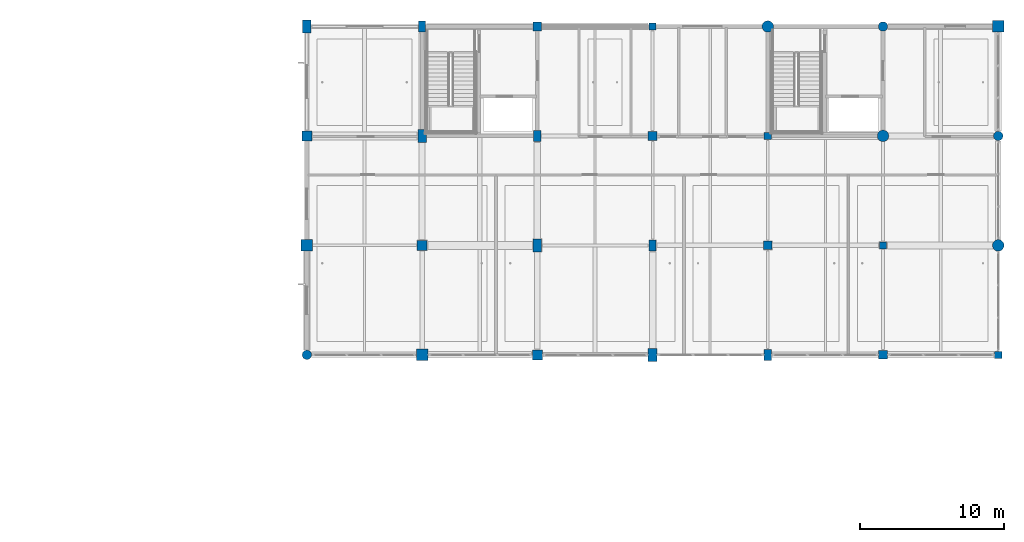
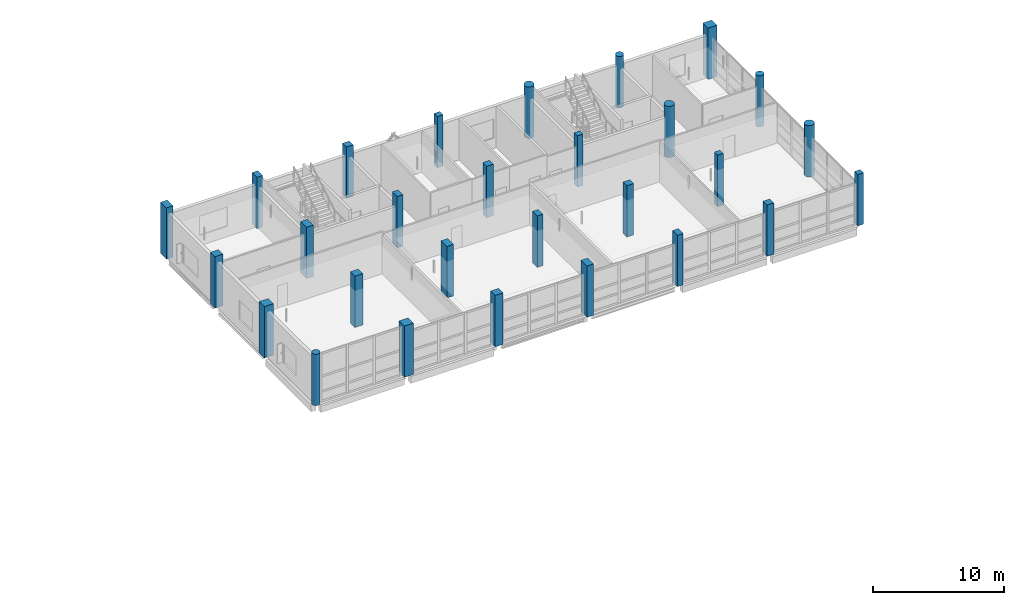
# One storey, part 4 of 46: 28 columns.
"""IFC4 building model written with IfcOpenShell, lengths in metres."""

from ifc_helpers import new_model, si_unit, direction, frame, origin, origin_2d, place, context, subcontext, project, spatial, rectangle, circle, extrude, material, material_profile, profile_set, type_object, element, save


model = new_model("IFC4")

# Units and contexts
model_context = context("Model", 3, precision=1e-05, world=origin(), true_north=direction((0.0, 1.0)))
body_context = subcontext(model_context, "Body", "Model", "MODEL_VIEW")
ifc_project = project(units=[si_unit("LENGTHUNIT", "METRE"), si_unit("AREAUNIT", "SQUARE_METRE"), si_unit("VOLUMEUNIT", "CUBIC_METRE"), si_unit("PLANEANGLEUNIT", "RADIAN"), si_unit("MASSUNIT", "GRAM", prefix="KILO")], contexts=[model_context])

# Site, building, storey
site_placement = place(None, origin())
site = spatial("IfcSite", under=ifc_project, at=site_placement, CompositionType="ELEMENT")
building_placement = place(site_placement, origin())
building = spatial("IfcBuilding", under=site, at=building_placement, Name="Khelvaren Railside Concert Hall", CompositionType="ELEMENT")
storey_placement = place(building_placement, frame((0.0, 0.0, 19.800048828125)))
storey = spatial("IfcBuildingStorey", under=building, at=storey_placement, Name="L04", CompositionType="ELEMENT", Elevation=19.800048828125)

# Columns
ifc_material = material(Name="Concrete C45/55", Category="concrete")
ifc_material_profile_1 = material_profile(ifc_material, rectangle(XDim=0.60009765625, YDim=0.60009765625, at=origin_2d()), Name="RC 600x600")
ifc_profile_set_1 = profile_set([ifc_material_profile_1], Name="Concrete C45/55")
column_type_1 = type_object("IfcColumnType", Name="COL11", PredefinedType="COLUMN", material=ifc_profile_set_1)
for number, where, z_axis, x_axis, name in (
    (1, (152.0, 114.0, 0.0), (0.0, 0.0, 1.0), (1.0, 0.0, 0.0), "V5 L04 Column (152.0,114.0)"),
    (2, (176.0, 91.199951171875, 0.0), (0.0, 0.0, 1.0), (1.0, 0.0, 0.0), "V5 L04 Column (176.0,91.2)"),
):
    element("IfcColumn", number, at=place(storey_placement, frame(where, z_axis=z_axis, x_axis=x_axis)), inside=storey, type_object=column_type_1, Name=name, PredefinedType="COLUMN", context=body_context, shape_type="SweptSolid", body=[
        extrude(rectangle(XDim=0.60009765625, YDim=0.60009765625, at=origin_2d()), origin(), (0.0, 0.0, 1.0), 4.800048828125),
    ])
ifc_material_profile_2 = material_profile(ifc_material, circle(Radius=0.39990234375, at=origin_2d()), Name="RC D800")
ifc_profile_set_2 = profile_set([ifc_material_profile_2], Name="Concrete C45/55")
column_type_2 = type_object("IfcColumnType", Name="COL14", PredefinedType="COLUMN", material=ifc_profile_set_2)
column_1_placement = place(storey_placement, frame((176.0, 106.39990234375, 0.0), z_axis=(0.0, 0.0, 1.0), x_axis=(1.0, 0.0, 0.0)))
element("IfcColumn", 3, at=column_1_placement, inside=storey, type_object=column_type_2, Name="V5 L04 Column (176.0,106.4)", PredefinedType="COLUMN", context=body_context, shape_type="SweptSolid", body=[
    extrude(circle(Radius=0.39990234375, at=origin_2d()), origin(), (0.0, 0.0, 1.0), 4.800048828125),
])
ifc_material_profile_3 = material_profile(ifc_material, rectangle(XDim=0.699951171875, YDim=0.699951171875, at=origin_2d()), Name="RC 700x700")
ifc_profile_set_3 = profile_set([ifc_material_profile_3], Name="Concrete C45/55")
column_type_3 = type_object("IfcColumnType", Name="COL16", PredefinedType="COLUMN", material=ifc_profile_set_3)
for number, where, z_axis, x_axis, name in (
    (4, (136.0, 106.39990234375, 0.0), (0.0, 0.0, 1.0), (1.0, 0.0, 0.0), "V5 L04 Column (136.0,106.4)"),
    (5, (152.0, 91.199951171875, 0.0), (0.0, 0.0, 1.0), (1.0, 0.0, 0.0), "V5 L04 Column (152.0,91.2)"),
):
    element("IfcColumn", number, at=place(storey_placement, frame(where, z_axis=z_axis, x_axis=x_axis)), inside=storey, type_object=column_type_3, Name=name, PredefinedType="COLUMN", context=body_context, shape_type="SweptSolid", body=[
        extrude(rectangle(XDim=0.699951171875, YDim=0.699951171875, at=origin_2d()), origin(), (0.0, 0.0, 1.0), 4.800048828125),
    ])
ifc_material_profile_4 = material_profile(ifc_material, circle(Radius=0.39990234375, at=origin_2d()), Name="RC D800")
ifc_profile_set_4 = profile_set([ifc_material_profile_4], Name="Concrete C45/55")
column_type_4 = type_object("IfcColumnType", Name="COL22", PredefinedType="COLUMN", material=ifc_profile_set_4)
for number, where, z_axis, x_axis, name in (
    (6, (168.0, 114.0, 0.0), (0.0, 0.0, 1.0), (1.0, 0.0, 0.0), "V5 L04 Column (168.0,114.0)"),
    (7, (184.0, 98.800048828125, 0.0), (0.0, 0.0, 1.0), (1.0, 0.0, 0.0), "V5 L04 Column (184.0,98.8)"),
):
    element("IfcColumn", number, at=place(storey_placement, frame(where, z_axis=z_axis, x_axis=x_axis)), inside=storey, type_object=column_type_4, Name=name, PredefinedType="COLUMN", context=body_context, shape_type="SweptSolid", body=[
        extrude(circle(Radius=0.39990234375, at=origin_2d()), origin(), (0.0, 0.0, 1.0), 4.800048828125),
    ])
ifc_material_profile_5 = material_profile(ifc_material, rectangle(XDim=0.60009765625, YDim=0.60009765625, at=origin_2d()), Name="RC 600x600")
ifc_profile_set_5 = profile_set([ifc_material_profile_5], Name="Concrete C45/55")
column_type_5 = type_object("IfcColumnType", Name="COL29", PredefinedType="COLUMN", material=ifc_profile_set_5)
for number, where, z_axis, x_axis, name in (
    (8, (160.0, 106.39990234375, 0.0), (0.0, 0.0, 1.0), (1.0, 0.0, 0.0), "V5 L04 Column (160.0,106.4)"),
    (9, (168.0, 98.800048828125, 0.0), (0.0, 0.0, 1.0), (1.0, 0.0, 0.0), "V5 L04 Column (168.0,98.8)"),
):
    element("IfcColumn", number, at=place(storey_placement, frame(where, z_axis=z_axis, x_axis=x_axis)), inside=storey, type_object=column_type_5, Name=name, PredefinedType="COLUMN", context=body_context, shape_type="SweptSolid", body=[
        extrude(rectangle(XDim=0.60009765625, YDim=0.60009765625, at=origin_2d()), origin(), (0.0, 0.0, 1.0), 4.800048828125),
    ])
ifc_material_profile_6 = material_profile(ifc_material, rectangle(XDim=0.60009765625, YDim=0.89990234375, at=origin_2d()), Name="RC 600x900")
ifc_profile_set_6 = profile_set([ifc_material_profile_6], Name="Concrete C45/55")
column_type_6 = type_object("IfcColumnType", Name="COL33", PredefinedType="COLUMN", material=ifc_profile_set_6)
for number, where, z_axis, x_axis, name in (
    (10, (144.0, 106.39990234375, 0.0), (0.0, 0.0, 1.0), (1.0, 0.0, 0.0), "V5 L04 Column (144.0,106.4)"),
    (11, (152.0, 98.800048828125, 0.0), (0.0, 0.0, 1.0), (1.0, 0.0, 0.0), "V5 L04 Column (152.0,98.8)"),
):
    element("IfcColumn", number, at=place(storey_placement, frame(where, z_axis=z_axis, x_axis=x_axis)), inside=storey, type_object=column_type_6, Name=name, PredefinedType="COLUMN", context=body_context, shape_type="SweptSolid", body=[
        extrude(rectangle(XDim=0.60009765625, YDim=0.89990234375, at=origin_2d()), origin(), (0.0, 0.0, 1.0), 4.800048828125),
    ])
ifc_material_profile_7 = material_profile(ifc_material, rectangle(XDim=0.5, YDim=0.5, at=origin_2d()), Name="RC 500x500")
ifc_profile_set_7 = profile_set([ifc_material_profile_7], Name="Concrete C45/55")
column_type_7 = type_object("IfcColumnType", Name="COL35", PredefinedType="COLUMN", material=ifc_profile_set_7)
for number, where, z_axis, x_axis, name in (
    (12, (160.0, 114.0, 0.0), (0.0, 0.0, 1.0), (1.0, 0.0, 0.0), "V5 L04 Column (160.0,114.0)"),
    (13, (184.0, 91.199951171875, 0.0), (0.0, 0.0, 1.0), (1.0, 0.0, 0.0), "V5 L04 Column (184.0,91.2)"),
):
    element("IfcColumn", number, at=place(storey_placement, frame(where, z_axis=z_axis, x_axis=x_axis)), inside=storey, type_object=column_type_7, Name=name, PredefinedType="COLUMN", context=body_context, shape_type="SweptSolid", body=[
        extrude(rectangle(XDim=0.5, YDim=0.5, at=origin_2d()), origin(), (0.0, 0.0, 1.0), 4.800048828125),
    ])
ifc_material_profile_8 = material_profile(ifc_material, rectangle(XDim=0.5, YDim=0.75, at=origin_2d()), Name="RC 500x750")
ifc_profile_set_8 = profile_set([ifc_material_profile_8], Name="Concrete C45/55")
column_type_8 = type_object("IfcColumnType", Name="COL36", PredefinedType="COLUMN", material=ifc_profile_set_8)
for number, where, z_axis, x_axis, name in (
    (14, (152.0, 106.39990234375, 0.0), (0.0, 0.0, 1.0), (1.0, 0.0, 0.0), "V5 L04 Column (152.0,106.4)"),
    (15, (160.0, 98.800048828125, 0.0), (0.0, 0.0, 1.0), (1.0, 0.0, 0.0), "V5 L04 Column (160.0,98.8)"),
):
    element("IfcColumn", number, at=place(storey_placement, frame(where, z_axis=z_axis, x_axis=x_axis)), inside=storey, type_object=column_type_8, Name=name, PredefinedType="COLUMN", context=body_context, shape_type="SweptSolid", body=[
        extrude(rectangle(XDim=0.5, YDim=0.75, at=origin_2d()), origin(), (0.0, 0.0, 1.0), 4.800048828125),
    ])
ifc_material_profile_9 = material_profile(ifc_material, rectangle(XDim=0.800048828125, YDim=0.800048828125, at=origin_2d()), Name="RC 800x800")
ifc_profile_set_9 = profile_set([ifc_material_profile_9], Name="Concrete C45/55")
column_type_9 = type_object("IfcColumnType", Name="COL38", PredefinedType="COLUMN", material=ifc_profile_set_9)
for number, where, z_axis, x_axis, name in (
    (16, (136.0, 98.800048828125, 0.0), (0.0, 0.0, 1.0), (1.0, 0.0, 0.0), "V5 L04 Column (136.0,98.8)"),
    (17, (144.0, 91.199951171875, 0.0), (0.0, 0.0, 1.0), (1.0, 0.0, 0.0), "V5 L04 Column (144.0,91.2)"),
    (18, (184.0, 114.0, 0.0), (0.0, 0.0, 1.0), (1.0, 0.0, 0.0), "V5 L04 Column (184.0,114.0)"),
):
    element("IfcColumn", number, at=place(storey_placement, frame(where, z_axis=z_axis, x_axis=x_axis)), inside=storey, type_object=column_type_9, Name=name, PredefinedType="COLUMN", context=body_context, shape_type="SweptSolid", body=[
        extrude(rectangle(XDim=0.800048828125, YDim=0.800048828125, at=origin_2d()), origin(), (0.0, 0.0, 1.0), 4.800048828125),
    ])
ifc_material_profile_10 = material_profile(ifc_material, circle(Radius=0.324951171875, at=origin_2d()), Name="RC D650")
ifc_profile_set_10 = profile_set([ifc_material_profile_10], Name="Concrete C45/55")
column_type_10 = type_object("IfcColumnType", Name="COL53", PredefinedType="COLUMN", material=ifc_profile_set_10)
for number, where, z_axis, x_axis, name in (
    (19, (136.0, 91.199951171875, 0.0), (0.0, 0.0, 1.0), (1.0, 0.0, 0.0), "V5 L04 Column (136.0,91.2)"),
    (20, (176.0, 114.0, 0.0), (0.0, 0.0, 1.0), (1.0, 0.0, 0.0), "V5 L04 Column (176.0,114.0)"),
    (21, (184.0, 106.39990234375, 0.0), (0.0, 0.0, 1.0), (1.0, 0.0, 0.0), "V5 L04 Column (184.0,106.4)"),
):
    element("IfcColumn", number, at=place(storey_placement, frame(where, z_axis=z_axis, x_axis=x_axis)), inside=storey, type_object=column_type_10, Name=name, PredefinedType="COLUMN", context=body_context, shape_type="SweptSolid", body=[
        extrude(circle(Radius=0.324951171875, at=origin_2d()), origin(), (0.0, 0.0, 1.0), 4.800048828125),
    ])
ifc_material_profile_11 = material_profile(ifc_material, rectangle(XDim=0.699951171875, YDim=0.699951171875, at=origin_2d()), Name="RC 700x700")
ifc_profile_set_11 = profile_set([ifc_material_profile_11], Name="Concrete C45/55")
column_type_11 = type_object("IfcColumnType", Name="COL74", PredefinedType="COLUMN", material=ifc_profile_set_11)
column_2_placement = place(storey_placement, frame((144.0, 98.800048828125, 0.0), z_axis=(0.0, 0.0, 1.0), x_axis=(1.0, 0.0, 0.0)))
element("IfcColumn", 22, at=column_2_placement, inside=storey, type_object=column_type_11, Name="V5 L04 Column (144.0,98.8)", PredefinedType="COLUMN", context=body_context, shape_type="SweptSolid", body=[
    extrude(rectangle(XDim=0.699951171875, YDim=0.699951171875, at=origin_2d()), origin(), (0.0, 0.0, 1.0), 4.800048828125),
])
ifc_material_profile_12 = material_profile(ifc_material, rectangle(XDim=0.5, YDim=0.5, at=origin_2d()), Name="RC 500x500")
ifc_profile_set_12 = profile_set([ifc_material_profile_12], Name="Concrete C45/55")
column_type_12 = type_object("IfcColumnType", Name="COL84", PredefinedType="COLUMN", material=ifc_profile_set_12)
for number, where, z_axis, x_axis, name in (
    (23, (168.0, 106.39990234375, 0.0), (0.0, 0.0, 1.0), (1.0, 0.0, 0.0), "V5 L04 Column (168.0,106.4)"),
    (24, (176.0, 98.800048828125, 0.0), (0.0, 0.0, 1.0), (1.0, 0.0, 0.0), "V5 L04 Column (176.0,98.8)"),
):
    element("IfcColumn", number, at=place(storey_placement, frame(where, z_axis=z_axis, x_axis=x_axis)), inside=storey, type_object=column_type_12, Name=name, PredefinedType="COLUMN", context=body_context, shape_type="SweptSolid", body=[
        extrude(rectangle(XDim=0.5, YDim=0.5, at=origin_2d()), origin(), (0.0, 0.0, 1.0), 4.800048828125),
    ])
ifc_material_profile_13 = material_profile(ifc_material, rectangle(XDim=0.60009765625, YDim=0.89990234375, at=origin_2d()), Name="RC 600x900")
ifc_profile_set_13 = profile_set([ifc_material_profile_13], Name="Concrete C45/55")
column_type_13 = type_object("IfcColumnType", Name="COL95", PredefinedType="COLUMN", material=ifc_profile_set_13)
for number, where, z_axis, x_axis, name in (
    (25, (136.0, 114.0, 0.0), (0.0, 0.0, 1.0), (1.0, 0.0, 0.0), "V5 L04 Column (136.0,114.0)"),
    (26, (160.0, 91.199951171875, 0.0), (0.0, 0.0, 1.0), (1.0, 0.0, 0.0), "V5 L04 Column (160.0,91.2)"),
):
    element("IfcColumn", number, at=place(storey_placement, frame(where, z_axis=z_axis, x_axis=x_axis)), inside=storey, type_object=column_type_13, Name=name, PredefinedType="COLUMN", context=body_context, shape_type="SweptSolid", body=[
        extrude(rectangle(XDim=0.60009765625, YDim=0.89990234375, at=origin_2d()), origin(), (0.0, 0.0, 1.0), 4.800048828125),
    ])
ifc_material_profile_14 = material_profile(ifc_material, rectangle(XDim=0.5, YDim=0.75, at=origin_2d()), Name="RC 500x750")
ifc_profile_set_14 = profile_set([ifc_material_profile_14], Name="Concrete C45/55")
column_type_14 = type_object("IfcColumnType", Name="COL97", PredefinedType="COLUMN", material=ifc_profile_set_14)
for number, where, z_axis, x_axis, name in (
    (27, (144.0, 114.0, 0.0), (0.0, 0.0, 1.0), (1.0, 0.0, 0.0), "V5 L04 Column (144.0,114.0)"),
    (28, (168.0, 91.199951171875, 0.0), (0.0, 0.0, 1.0), (1.0, 0.0, 0.0), "V5 L04 Column (168.0,91.2)"),
):
    element("IfcColumn", number, at=place(storey_placement, frame(where, z_axis=z_axis, x_axis=x_axis)), inside=storey, type_object=column_type_14, Name=name, PredefinedType="COLUMN", context=body_context, shape_type="SweptSolid", body=[
        extrude(rectangle(XDim=0.5, YDim=0.75, at=origin_2d()), origin(), (0.0, 0.0, 1.0), 4.800048828125),
    ])

save(model, "model.ifc")
